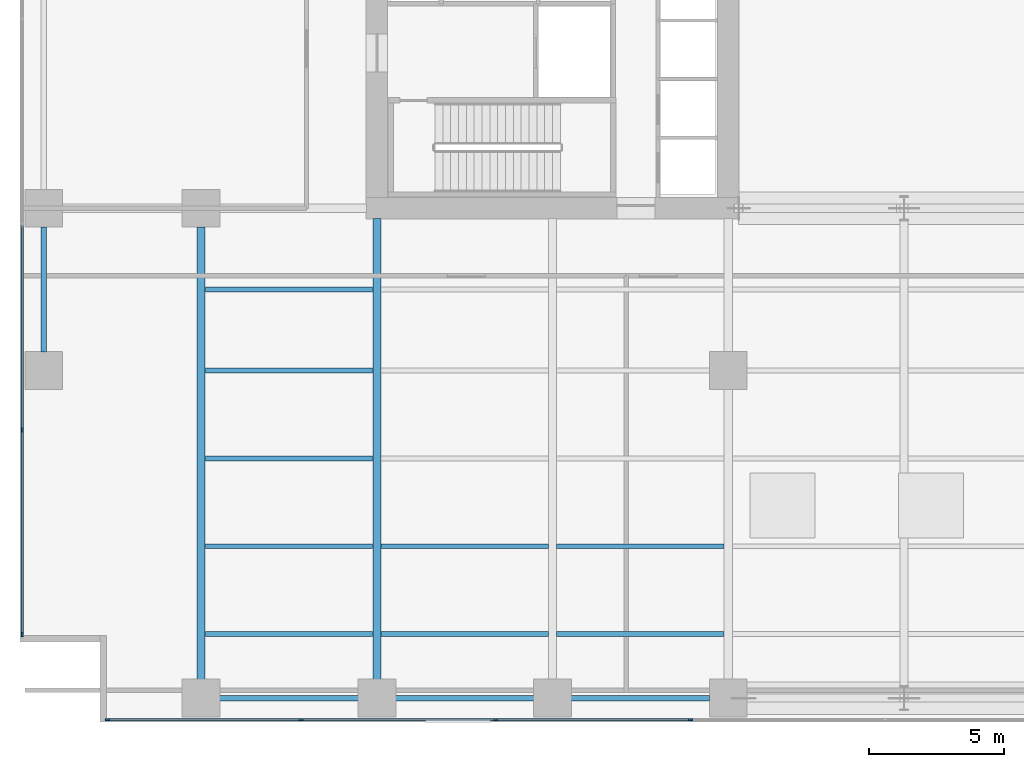
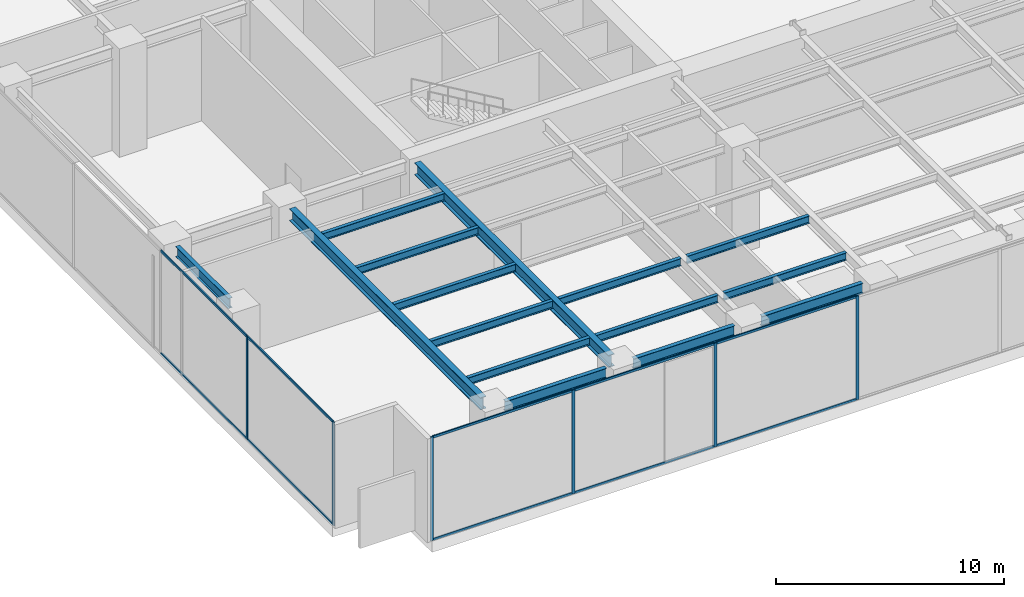
# One storey, part 3 of 25: 16 members, 15 beams, 2 elements without a shape of their own.
"""IFC4 building model written with IfcOpenShell, lengths in metres."""

import ifcopenshell
import ifcopenshell.guid

model = None  # the IFC model being written
_history = None  # IfcOwnerHistory: only IFC2X3 demands one
_inside = {}  # id of a spatial element -> (the spatial element, [elements in it])
_under = {}  # id of a project, library or spatial element -> (it, [spatial elements below it])
_declared = {}  # id of a project -> (the project, [libraries it declares])
_typed = {}  # id of a type object -> (the type object, [elements of that type])
_made_of = {}  # id of a material, layer set ... -> (it, [elements and type objects made of it])


def new_model(schema):
    """Start an empty IFC model of exactly this schema.

    Asked for "IFC4X3", IfcOpenShell would pick the latest addendum, in which some entities
    have other attributes; the version numbers below select the first issue.
    IFC2X3 requires an IfcOwnerHistory on every rooted entity: one is made here for all.
    """
    global model, _history
    if schema == "IFC4X3":
        model = ifcopenshell.file(schema_version=(4, 3, 0, 0))
    else:
        model = ifcopenshell.file(schema=schema)
    _inside.clear()
    _under.clear()
    _declared.clear()
    _typed.clear()
    _made_of.clear()
    _history = None
    if model.schema == "IFC2X3":
        org = make("IfcOrganization", Name="unknown")
        user = make(
            "IfcPersonAndOrganization",
            ThePerson=make("IfcPerson", FamilyName="unknown"),
            TheOrganization=org,
        )
        app = make(
            "IfcApplication",
            ApplicationDeveloper=org,
            Version="unknown",
            ApplicationFullName="unknown",
            ApplicationIdentifier="unknown",
        )
        _history = make(
            "IfcOwnerHistory",
            OwningUser=user,
            OwningApplication=app,
            ChangeAction="ADDED",
            CreationDate=0,
        )
    return model


def make(cls, **values):
    """One entity of the class cls with the attributes given. An attribute that is None is left unset."""
    return model.create_entity(
        cls, **{name: value for name, value in values.items() if value is not None}
    )


def rooted(cls, **values):
    """An entity with a GlobalId (a new one), such as an element, a storey or a relation."""
    return make(cls, GlobalId=ifcopenshell.guid.new(), OwnerHistory=_history, **values)


def si_unit(unit_type, name, prefix=None):
    """IfcSIUnit, for example si_unit("LENGTHUNIT", "METRE", prefix="MILLI")."""
    return make("IfcSIUnit", UnitType=unit_type, Prefix=prefix, Name=name)


def assignment(units):
    """IfcUnitAssignment: the units of a project."""
    return None if units is None else make("IfcUnitAssignment", Units=units)


def point(xyz):
    """IfcCartesianPoint."""
    return None if xyz is None else make("IfcCartesianPoint", Coordinates=xyz)


def direction(xyz):
    """IfcDirection."""
    return None if xyz is None else make("IfcDirection", DirectionRatios=xyz)


def frame(location, z_axis=None, x_axis=None):
    """IfcAxis2Placement3D, a coordinate frame: its origin and axes. An axis left out is left unset."""
    return make(
        "IfcAxis2Placement3D",
        Location=point(location),
        Axis=direction(z_axis),
        RefDirection=direction(x_axis),
    )


def frame_2d(location, x_axis=None):
    """IfcAxis2Placement2D, a coordinate frame in the plane: its origin and x axis."""
    return make(
        "IfcAxis2Placement2D", Location=point(location), RefDirection=direction(x_axis)
    )


def origin():
    """The frame at (0, 0, 0) with its axes left unset."""
    return frame((0.0, 0.0, 0.0))


def origin_2d():
    """The frame at (0, 0) in the plane with its x axis left unset."""
    return frame_2d((0.0, 0.0))


def place(relative_to, where):
    """IfcLocalPlacement: puts the frame where relative to a parent placement (None: the world)."""
    return make(
        "IfcLocalPlacement", PlacementRelTo=relative_to, RelativePlacement=where
    )


def context(
    kind, dimensions, precision=None, world=None, true_north=None, identifier=None
):
    """IfcGeometricRepresentationContext, for example the 3D "Model" context."""
    return make(
        "IfcGeometricRepresentationContext",
        ContextIdentifier=identifier,
        ContextType=kind,
        CoordinateSpaceDimension=dimensions,
        Precision=precision,
        WorldCoordinateSystem=world,
        TrueNorth=true_north,
    )


def subcontext(parent, identifier, kind, view, scale=None):
    """IfcGeometricRepresentationSubContext, for example "Body" below "Model"."""
    return make(
        "IfcGeometricRepresentationSubContext",
        ContextIdentifier=identifier,
        ContextType=kind,
        ParentContext=parent,
        TargetScale=scale,
        TargetView=view,
    )


def project(units=None, contexts=None):
    """IfcProject with its units and contexts."""
    return rooted(
        "IfcProject",
        Name="project",
        RepresentationContexts=contexts,
        UnitsInContext=assignment(units),
    )


def spatial(cls, under=None, at=None, **own):
    """A site, building, storey or space (cls), placed at a placement, below another one or the project."""
    s = rooted(cls, ObjectPlacement=at, **own)
    if under is not None:
        _under.setdefault(under.id(), (under, []))[1].append(s)
    return s


def profile(cls, at=None, kind="AREA", **sizes):
    """A parametric profile (cls). Its sizes go by their IFC names, for example OverallWidth=200.0."""
    return make(cls, ProfileType=kind, Position=at, **sizes)


def rectangle(**sizes):
    """IfcRectangleProfileDef."""
    return profile("IfcRectangleProfileDef", **sizes)


def i_section(**sizes):
    """IfcIShapeProfileDef."""
    return profile("IfcIShapeProfileDef", **sizes)


def extrude(swept, where, along, depth):
    """IfcExtrudedAreaSolid: the profile swept, set in the frame where, extruded along a direction by depth."""
    return make(
        "IfcExtrudedAreaSolid",
        SweptArea=swept,
        Position=where,
        ExtrudedDirection=direction(along),
        Depth=depth,
    )


def shape(context_of_items, identifier, shape_type, items):
    """IfcShapeRepresentation: the items that make up one representation, for example the "Body"."""
    return make(
        "IfcShapeRepresentation",
        ContextOfItems=context_of_items,
        RepresentationIdentifier=identifier,
        RepresentationType=shape_type,
        Items=items,
    )


def material(Name=None, Category=None):
    """IfcMaterial."""
    return make("IfcMaterial", Name=Name, Category=Category)


def layer(
    of_material, thickness, ventilated=None, Name=None, Category=None, Priority=None
):
    """IfcMaterialLayer: one layer of a wall or slab, of a material (None: an air gap)."""
    return make(
        "IfcMaterialLayer",
        Material=of_material,
        LayerThickness=thickness,
        IsVentilated=ventilated,
        Name=Name,
        Category=Category,
        Priority=Priority,
    )


def layer_set(layers, Name=None):
    """IfcMaterialLayerSet."""
    return make("IfcMaterialLayerSet", MaterialLayers=layers, LayerSetName=Name)


def material_profile(
    of_material, cross_section, Name=None, Category=None, Priority=None
):
    """IfcMaterialProfile: a cross section and its material."""
    return make(
        "IfcMaterialProfile",
        Name=Name,
        Material=of_material,
        Profile=cross_section,
        Priority=Priority,
        Category=Category,
    )


def profile_set(profiles, Name=None, composite=None):
    """IfcMaterialProfileSet."""
    return make(
        "IfcMaterialProfileSet",
        Name=Name,
        MaterialProfiles=profiles,
        CompositeProfile=composite,
    )


def made_of(thing, what):
    """Note that an element or type object is made of a material, layer set ...; save() writes the relation."""
    if what is not None:
        _made_of.setdefault(what.id(), (what, []))[1].append(thing)
    return thing


def type_object(cls, material=None, **own):
    """A type object (cls), such as IfcWallType, which elements share."""
    return made_of(rooted(cls, **own), material)


def element(
    cls,
    number,
    at=None,
    inside=None,
    cuts=None,
    type_object=None,
    material=None,
    context=None,
    identifier="Body",
    shape_type=None,
    held_by="IfcProductDefinitionShape",
    body=None,
    shapes=None,
    **own,
):
    """One element of the class cls, such as IfcWall. Its Tag is "e" and its number.

    at: its placement. inside: the storey or other place that contains it. cuts: it is an
    opening in that element (IfcRelVoidsElement). A single representation is given by context,
    identifier, shape_type and body (its items); several are given by shapes. held_by: the class
    of the entity that holds the representations. save() writes the other relations.
    """
    e = rooted(cls, Tag="e%d" % number, ObjectPlacement=at, **own)
    if body is not None:
        shapes = [shape(context, identifier, shape_type, body)]
    if shapes is not None:
        e.Representation = make(held_by, Representations=shapes)
    if inside is not None:
        _inside.setdefault(inside.id(), (inside, []))[1].append(e)
    if cuts is not None:
        rooted(
            "IfcRelVoidsElement", RelatingBuildingElement=cuts, RelatedOpeningElement=e
        )
    if type_object is not None:
        _typed.setdefault(type_object.id(), (type_object, []))[1].append(e)
    return made_of(e, material)


def aggregate(whole, parts):
    """IfcRelAggregates: a whole, such as a stair, and the parts it consists of."""
    return rooted("IfcRelAggregates", RelatingObject=whole, RelatedObjects=parts)


def save(model, path):
    """Write the relations noted so far, then the file.

    IfcRelAggregates (storeys below a building ...), IfcRelContainedInSpatialStructure (elements
    in a storey), IfcRelDefinesByType, IfcRelAssociatesMaterial and IfcRelDeclares: one each for
    every whole, place, type object, material and project.
    """
    for whole, parts in _under.values():
        aggregate(whole, parts)
    for where, things in _inside.values():
        rooted(
            "IfcRelContainedInSpatialStructure",
            RelatedElements=things,
            RelatingStructure=where,
        )
    for kind, things in _typed.values():
        rooted("IfcRelDefinesByType", RelatedObjects=things, RelatingType=kind)
    for what, things in _made_of.values():
        rooted("IfcRelAssociatesMaterial", RelatedObjects=things, RelatingMaterial=what)
    for by, libraries in _declared.values():
        rooted("IfcRelDeclares", RelatingContext=by, RelatedDefinitions=libraries)
    model.write(path)


model = new_model("IFC4")

# Units and contexts
model_context = context("Model", 3, precision=1e-05, world=origin(), true_north=direction((0.0, 1.0)))
body_context = subcontext(model_context, "Body", "Model", "MODEL_VIEW")
ifc_project = project(units=[si_unit("LENGTHUNIT", "METRE"), si_unit("AREAUNIT", "SQUARE_METRE"), si_unit("VOLUMEUNIT", "CUBIC_METRE"), si_unit("PLANEANGLEUNIT", "RADIAN"), si_unit("MASSUNIT", "GRAM", prefix="KILO")], contexts=[model_context])

# Site, building, storey
site_placement = place(None, origin())
site = spatial("IfcSite", under=ifc_project, at=site_placement, CompositionType="ELEMENT")
building_placement = place(site_placement, origin())
building = spatial("IfcBuilding", under=site, at=building_placement, Name="Putna Gate Headquarters", CompositionType="ELEMENT")
storey_placement = place(building_placement, frame((0.0, 0.0, 22.0)))
storey = spatial("IfcBuildingStorey", under=building, at=storey_placement, Name="L04", CompositionType="ELEMENT", Elevation=22.0)

# Beams
ifc_material_1 = material(Name="Steel S355J2", Category="steel")
ifc_material_profile_1 = material_profile(ifc_material_1, i_section(OverallWidth=0.300048828125, OverallDepth=0.64990234375, WebThickness=0.01611328125, FlangeThickness=0.031005859375, at=origin_2d()), Name="Steel S355J2")
ifc_profile_set_1 = profile_set([ifc_material_profile_1], Name="Steel S355J2")
beam_type_1 = type_object("IfcBeamType", Name="BM-GIRD-Z1-HEB650", PredefinedType="USERDEFINED", material=ifc_profile_set_1)
beam_1_placement = place(storey_placement, frame((6.5, 1.568115234375, 5.22509765625), z_axis=(0.0, 1.0, 0.0), x_axis=(-1.0, 0.0, 0.0)))
element("IfcBeam", 1, at=beam_1_placement, inside=storey, type_object=beam_type_1, Name="L04 South Primary Girder X6", ObjectType="GIRDER", PredefinedType="USERDEFINED", context=body_context, shape_type="SweptSolid", body=[
    extrude(i_section(OverallWidth=0.300048828125, OverallDepth=0.64990234375, WebThickness=0.01611328125, FlangeThickness=0.031005859375, at=origin_2d()), origin(), (0.0, 0.0, 1.0), 16.743896484375),
])
beam_2_placement = place(storey_placement, frame((13.0, 1.568115234375, 5.22509765625), z_axis=(0.0, 1.0, 0.0), x_axis=(-1.0, 0.0, 0.0)))
element("IfcBeam", 2, at=beam_2_placement, inside=storey, type_object=beam_type_1, Name="L04 South Primary Girder X13", ObjectType="GIRDER", PredefinedType="USERDEFINED", context=body_context, shape_type="SweptSolid", body=[
    extrude(i_section(OverallWidth=0.300048828125, OverallDepth=0.64990234375, WebThickness=0.01611328125, FlangeThickness=0.031005859375, at=origin_2d()), origin(), (0.0, 0.0, 1.0), 17.046875),
])
ifc_material_profile_2 = material_profile(ifc_material_1, i_section(OverallWidth=0.179931640625, OverallDepth=0.39990234375, WebThickness=0.008544921875, FlangeThickness=0.013427734375, at=origin_2d()), Name="Steel S355J2")
ifc_profile_set_2 = profile_set([ifc_material_profile_2], Name="Steel S355J2")
beam_type_2 = type_object("IfcBeamType", Name="BM-SEC-Z1-IPE400", PredefinedType="BEAM", material=ifc_profile_set_2)
for number, where, z_axis, x_axis, name in (
    (3, (6.654052734375, 3.25, 5.35009765625), (1.0, 0.0, 0.0), (0.0, 1.0, 0.0), "L04 South Secondary Beam 1"),
    (4, (6.654052734375, 6.5, 5.35009765625), (1.0, 0.0, 0.0), (0.0, 1.0, 0.0), "L04 South Secondary Beam 1"),
    (5, (6.654052734375, 9.75, 5.35009765625), (1.0, 0.0, 0.0), (0.0, 1.0, 0.0), "L04 South Secondary Beam 1"),
    (6, (6.654052734375, 13.0, 5.35009765625), (1.0, 0.0, 0.0), (0.0, 1.0, 0.0), "L04 South Secondary Beam 1"),
    (7, (6.654052734375, 16.0, 5.35009765625), (1.0, 0.0, 0.0), (0.0, 1.0, 0.0), "L04 South Secondary Beam 1"),
    (8, (13.154052734375, 3.25, 5.35009765625), (1.0, 0.0, 0.0), (0.0, 1.0, 0.0), "L04 South Secondary Beam 2"),
    (9, (13.154052734375, 6.5, 5.35009765625), (1.0, 0.0, 0.0), (0.0, 1.0, 0.0), "L04 South Secondary Beam 2"),
    (10, (19.654052734375, 3.25, 5.35009765625), (1.0, 0.0, 0.0), (0.0, 1.0, 0.0), "L04 South Secondary Beam 3"),
    (11, (19.654052734375, 6.5, 5.35009765625), (1.0, 0.0, 0.0), (0.0, 1.0, 0.0), "L04 South Secondary Beam 3"),
):
    element("IfcBeam", number, at=place(storey_placement, frame(where, z_axis=z_axis, x_axis=x_axis)), inside=storey, type_object=beam_type_2, Name=name, PredefinedType="BEAM", context=body_context, shape_type="SweptSolid", body=[
        extrude(i_section(OverallWidth=0.179931640625, OverallDepth=0.39990234375, WebThickness=0.008544921875, FlangeThickness=0.013427734375, at=origin_2d()), origin(), (0.0, 0.0, 1.0), 6.19189453125),
    ])
ifc_material_profile_3 = material_profile(ifc_material_1, i_section(OverallWidth=0.2099609375, OverallDepth=0.550048828125, WebThickness=0.010986328125, FlangeThickness=0.01708984375, at=origin_2d()), Name="Steel S355J2")
ifc_profile_set_3 = profile_set([ifc_material_profile_3], Name="Steel S355J2")
beam_type_3 = type_object("IfcBeamType", Name="BM-SPAN-Z1-IPE550", PredefinedType="SPANDREL", material=ifc_profile_set_3)
for number, where, z_axis, x_axis, name in (
    (12, (7.18798828125, 0.8798828125, 5.27490234375), (1.0, 0.0, 0.0), (0.0, 1.0, 0.0), "L04 S Perimeter Spandrel 1"),
    (13, (13.68798828125, 0.8798828125, 5.27490234375), (1.0, 0.0, 0.0), (0.0, 1.0, 0.0), "L04 S Perimeter Spandrel 2"),
    (14, (20.18798828125, 0.8798828125, 5.27490234375), (1.0, 0.0, 0.0), (0.0, 1.0, 0.0), "L04 S Perimeter Spandrel 3"),
):
    element("IfcBeam", number, at=place(storey_placement, frame(where, z_axis=z_axis, x_axis=x_axis)), inside=storey, type_object=beam_type_3, Name=name, PredefinedType="SPANDREL", context=body_context, shape_type="SweptSolid", body=[
        extrude(i_section(OverallWidth=0.2099609375, OverallDepth=0.550048828125, WebThickness=0.010986328125, FlangeThickness=0.01708984375, at=origin_2d()), origin(), (0.0, 0.0, 1.0), 5.1240234375),
    ])
beam_3_placement = place(storey_placement, frame((0.679931640625, 13.68798828125, 5.27490234375), z_axis=(0.0, 1.0, 0.0), x_axis=(-1.0, 0.0, 0.0)))
element("IfcBeam", 15, at=beam_3_placement, inside=storey, type_object=beam_type_3, Name="L04 W End Spandrel 1", PredefinedType="SPANDREL", context=body_context, shape_type="SweptSolid", body=[
    extrude(i_section(OverallWidth=0.2099609375, OverallDepth=0.550048828125, WebThickness=0.010986328125, FlangeThickness=0.01708984375, at=origin_2d()), origin(), (0.0, 0.0, 1.0), 4.6240234375),
])

# Curtain wall, members
ifc_material_2 = material(Name="Anodised bronze aluminium curtain wall", Category="aluminium")
ifc_layer = layer(ifc_material_2, 0.159912109375)
ifc_layer_set = layer_set([ifc_layer], Name="Anodised bronze aluminium curtain wall")
curtain_wall_type = type_object("IfcCurtainWallType", Name="CW-SYS-CRN", PredefinedType="USERDEFINED", material=ifc_layer_set)
curtain_wall_1_placement = place(storey_placement, origin())
curtain_wall_1 = element("IfcCurtainWall", 16, at=curtain_wall_1_placement, inside=storey, type_object=curtain_wall_type, Name="L04 Acoustic Louvre South Enclosure", ObjectType="STICK CURTAIN WALL", PredefinedType="USERDEFINED")
ifc_material_3 = material(Name="Anodised bronze aluminium EN AW-6060", Category="aluminium")
ifc_material_profile_4 = material_profile(ifc_material_3, rectangle(XDim=0.06494140625, YDim=0.159912109375, at=origin_2d()), Name="Anodised bronze aluminium EN AW-6060")
ifc_profile_set_4 = profile_set([ifc_material_profile_4], Name="Anodised bronze aluminium EN AW-6060")
member_type_1 = type_object("IfcMemberType", Name="MULL-CWM-CR", PredefinedType="MULLION", material=ifc_profile_set_4)
member_1_placement = place(storey_placement, frame((3.032470703125, 0.080078125, 0.0), z_axis=(0.0, 0.0, 1.0), x_axis=(0.0, 1.0, 0.0)))
member_1 = element("IfcMember", 17, at=member_1_placement, type_object=member_type_1, Name="CWS-CR mullion 1", PredefinedType="MULLION", context=body_context, shape_type="SweptSolid", body=[
    extrude(rectangle(XDim=0.06494140625, YDim=0.159912109375, at=origin_2d()), origin(), (0.0, 0.0, 1.0), 5.550048828125),
])
member_2_placement = place(storey_placement, frame((10.199951171875, 0.080078125, 0.0), z_axis=(0.0, 0.0, 1.0), x_axis=(0.0, 1.0, 0.0)))
member_2 = element("IfcMember", 18, at=member_2_placement, type_object=member_type_1, Name="CWS-CR mullion 2", PredefinedType="MULLION", context=body_context, shape_type="SweptSolid", body=[
    extrude(rectangle(XDim=0.06494140625, YDim=0.159912109375, at=origin_2d()), origin(), (0.0, 0.0, 1.0), 5.550048828125),
])
member_3_placement = place(storey_placement, frame((17.39990234375, 0.080078125, 0.0), z_axis=(0.0, 0.0, 1.0), x_axis=(0.0, 1.0, 0.0)))
member_3 = element("IfcMember", 19, at=member_3_placement, type_object=member_type_1, Name="CWS-CR mullion 3", PredefinedType="MULLION", context=body_context, shape_type="SweptSolid", body=[
    extrude(rectangle(XDim=0.06494140625, YDim=0.159912109375, at=origin_2d()), origin(), (0.0, 0.0, 1.0), 5.550048828125),
])
member_4_placement = place(storey_placement, frame((24.60009765625, 0.080078125, 0.0), z_axis=(0.0, 0.0, 1.0), x_axis=(0.0, 1.0, 0.0)))
member_4 = element("IfcMember", 20, at=member_4_placement, type_object=member_type_1, Name="CWS-CR mullion 4", PredefinedType="MULLION", context=body_context, shape_type="SweptSolid", body=[
    extrude(rectangle(XDim=0.06494140625, YDim=0.159912109375, at=origin_2d()), origin(), (0.0, 0.0, 1.0), 5.550048828125),
])

curtain_wall_2_placement = place(storey_placement, origin())
curtain_wall_2 = element("IfcCurtainWall", 21, at=curtain_wall_2_placement, inside=storey, type_object=curtain_wall_type, Name="L04 Acoustic Louvre West Enclosure", ObjectType="STICK CURTAIN WALL", PredefinedType="USERDEFINED")
member_5_placement = place(storey_placement, frame((-0.1201171875, 3.232421875, 0.0), z_axis=(0.0, 0.0, 1.0), x_axis=(-1.0, 0.0, 0.0)))
member_5 = element("IfcMember", 22, at=member_5_placement, type_object=member_type_1, Name="CWS-CR mullion 1", PredefinedType="MULLION", context=body_context, shape_type="SweptSolid", body=[
    extrude(rectangle(XDim=0.06494140625, YDim=0.159912109375, at=origin_2d()), origin(), (0.0, 0.0, 1.0), 5.550048828125),
])
member_6_placement = place(storey_placement, frame((-0.1201171875, 10.800048828125, 0.0), z_axis=(0.0, 0.0, 1.0), x_axis=(-1.0, 0.0, 0.0)))
member_6 = element("IfcMember", 23, at=member_6_placement, type_object=member_type_1, Name="CWS-CR mullion 2", PredefinedType="MULLION", context=body_context, shape_type="SweptSolid", body=[
    extrude(rectangle(XDim=0.06494140625, YDim=0.159912109375, at=origin_2d()), origin(), (0.0, 0.0, 1.0), 5.550048828125),
])

# Member
ifc_material_profile_5 = material_profile(ifc_material_3, rectangle(XDim=0.06494140625, YDim=0.1201171875, at=origin_2d()), Name="Anodised bronze aluminium EN AW-6060")
ifc_profile_set_5 = profile_set([ifc_material_profile_5], Name="Anodised bronze aluminium EN AW-6060")
member_type_2 = type_object("IfcMemberType", Name="TRAN-CWT-CR", PredefinedType="USERDEFINED", material=ifc_profile_set_5)
member_7_placement = place(storey_placement, frame((3.06494140625, 0.080078125, 0.032470703125), z_axis=(1.0, 0.0, 0.0), x_axis=(0.0, 1.0, 0.0)))
member_7 = element("IfcMember", 24, at=member_7_placement, type_object=member_type_2, Name="CWS-CR transom 1.1", ObjectType="TRANSOM", PredefinedType="USERDEFINED", context=body_context, shape_type="SweptSolid", body=[
    extrude(rectangle(XDim=0.06494140625, YDim=0.1201171875, at=origin_2d()), origin(), (0.0, 0.0, 1.0), 7.1025390625),
])

member_8_placement = place(storey_placement, frame((3.06494140625, 0.080078125, 5.517578125), z_axis=(1.0, 0.0, 0.0), x_axis=(0.0, 1.0, 0.0)))
member_8 = element("IfcMember", 25, at=member_8_placement, type_object=member_type_2, Name="CWS-CR transom 1.2", ObjectType="TRANSOM", PredefinedType="USERDEFINED", context=body_context, shape_type="SweptSolid", body=[
    extrude(rectangle(XDim=0.06494140625, YDim=0.1201171875, at=origin_2d()), origin(), (0.0, 0.0, 1.0), 7.1025390625),
])

member_9_placement = place(storey_placement, frame((10.232421875, 0.080078125, 0.032470703125), z_axis=(1.0, 0.0, 0.0), x_axis=(0.0, 1.0, 0.0)))
member_9 = element("IfcMember", 26, at=member_9_placement, type_object=member_type_2, Name="CWS-CR transom 2.1", ObjectType="TRANSOM", PredefinedType="USERDEFINED", context=body_context, shape_type="SweptSolid", body=[
    extrude(rectangle(XDim=0.06494140625, YDim=0.1201171875, at=origin_2d()), origin(), (0.0, 0.0, 1.0), 7.135009765625),
])

member_10_placement = place(storey_placement, frame((10.232421875, 0.080078125, 5.517578125), z_axis=(1.0, 0.0, 0.0), x_axis=(0.0, 1.0, 0.0)))
member_10 = element("IfcMember", 27, at=member_10_placement, type_object=member_type_2, Name="CWS-CR transom 2.2", ObjectType="TRANSOM", PredefinedType="USERDEFINED", context=body_context, shape_type="SweptSolid", body=[
    extrude(rectangle(XDim=0.06494140625, YDim=0.1201171875, at=origin_2d()), origin(), (0.0, 0.0, 1.0), 7.135009765625),
])

member_11_placement = place(storey_placement, frame((17.4326171875, 0.080078125, 0.032470703125), z_axis=(1.0, 0.0, 0.0), x_axis=(0.0, 1.0, 0.0)))
member_11 = element("IfcMember", 28, at=member_11_placement, type_object=member_type_2, Name="CWS-CR transom 3.1", ObjectType="TRANSOM", PredefinedType="USERDEFINED", context=body_context, shape_type="SweptSolid", body=[
    extrude(rectangle(XDim=0.06494140625, YDim=0.1201171875, at=origin_2d()), origin(), (0.0, 0.0, 1.0), 7.134765625),
])

member_12_placement = place(storey_placement, frame((17.4326171875, 0.080078125, 5.517578125), z_axis=(1.0, 0.0, 0.0), x_axis=(0.0, 1.0, 0.0)))
member_12 = element("IfcMember", 29, at=member_12_placement, type_object=member_type_2, Name="CWS-CR transom 3.2", ObjectType="TRANSOM", PredefinedType="USERDEFINED", context=body_context, shape_type="SweptSolid", body=[
    extrude(rectangle(XDim=0.06494140625, YDim=0.1201171875, at=origin_2d()), origin(), (0.0, 0.0, 1.0), 7.134765625),
])

aggregate(curtain_wall_1, [member_1, member_2, member_3, member_4, member_7, member_8, member_9, member_10, member_11, member_12])

member_13_placement = place(storey_placement, frame((-0.1201171875, 3.264892578125, 0.032470703125), z_axis=(0.0, 1.0, 0.0), x_axis=(-1.0, 0.0, 0.0)))
member_13 = element("IfcMember", 30, at=member_13_placement, type_object=member_type_2, Name="CWS-CR transom 1.1", ObjectType="TRANSOM", PredefinedType="USERDEFINED", context=body_context, shape_type="SweptSolid", body=[
    extrude(rectangle(XDim=0.06494140625, YDim=0.1201171875, at=origin_2d()), origin(), (0.0, 0.0, 1.0), 7.502685546875),
])

member_14_placement = place(storey_placement, frame((-0.1201171875, 3.264892578125, 5.517578125), z_axis=(0.0, 1.0, 0.0), x_axis=(-1.0, 0.0, 0.0)))
member_14 = element("IfcMember", 31, at=member_14_placement, type_object=member_type_2, Name="CWS-CR transom 1.2", ObjectType="TRANSOM", PredefinedType="USERDEFINED", context=body_context, shape_type="SweptSolid", body=[
    extrude(rectangle(XDim=0.06494140625, YDim=0.1201171875, at=origin_2d()), origin(), (0.0, 0.0, 1.0), 7.502685546875),
])

member_15_placement = place(storey_placement, frame((-0.1201171875, 10.83251953125, 0.032470703125), z_axis=(0.0, 1.0, 0.0), x_axis=(-1.0, 0.0, 0.0)))
member_15 = element("IfcMember", 32, at=member_15_placement, type_object=member_type_2, Name="CWS-CR transom 2.1", ObjectType="TRANSOM", PredefinedType="USERDEFINED", context=body_context, shape_type="SweptSolid", body=[
    extrude(rectangle(XDim=0.06494140625, YDim=0.1201171875, at=origin_2d()), origin(), (0.0, 0.0, 1.0), 7.534912109375),
])

member_16_placement = place(storey_placement, frame((-0.1201171875, 10.83251953125, 5.517578125), z_axis=(0.0, 1.0, 0.0), x_axis=(-1.0, 0.0, 0.0)))
member_16 = element("IfcMember", 33, at=member_16_placement, type_object=member_type_2, Name="CWS-CR transom 2.2", ObjectType="TRANSOM", PredefinedType="USERDEFINED", context=body_context, shape_type="SweptSolid", body=[
    extrude(rectangle(XDim=0.06494140625, YDim=0.1201171875, at=origin_2d()), origin(), (0.0, 0.0, 1.0), 7.534912109375),
])

aggregate(curtain_wall_2, [member_5, member_6, member_13, member_14, member_15, member_16])

save(model, "model.ifc")
